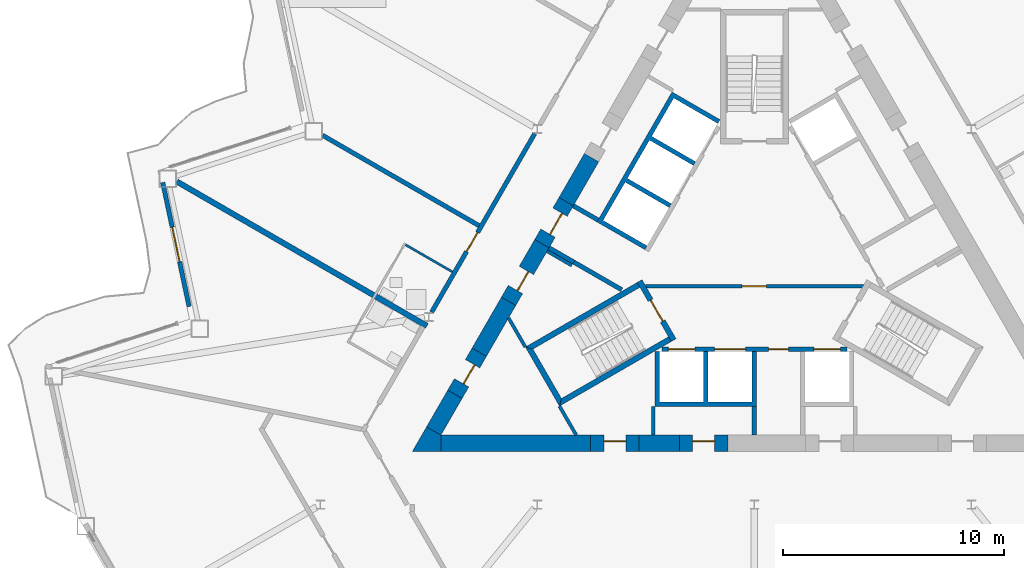
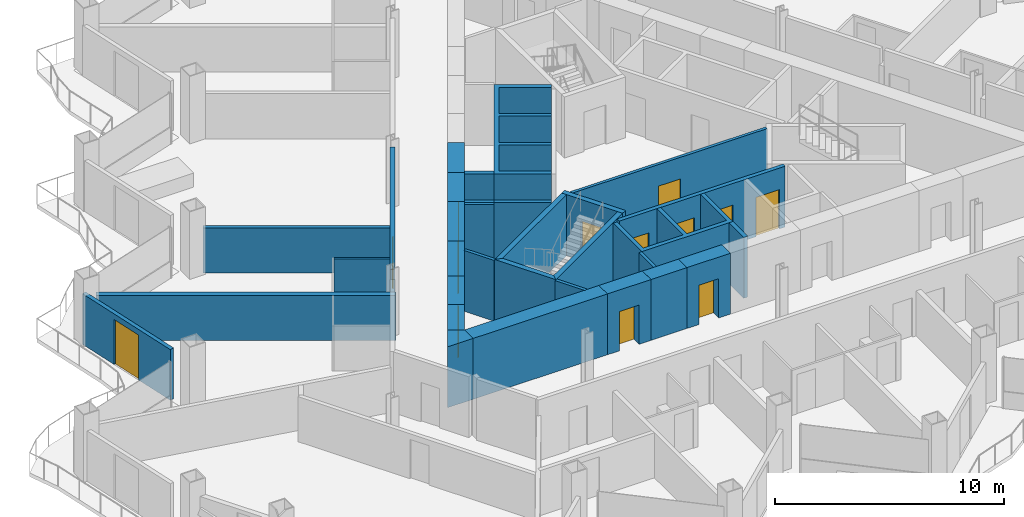
# One storey, part 11 of 23: 32 walls, 13 doors, 13 openings.
"""IFC4 building model written with IfcOpenShell, lengths in metres."""

from ifc_helpers import new_model, si_unit, direction, frame, frame_2d, origin, place, context, subcontext, project, spatial, polyline, rectangle, outline, extrude, material, layer, layer_set, type_object, element, fill, save


model = new_model("IFC4")

# Units and contexts
model_context = context("Model", 3, precision=1e-05, world=origin(), true_north=direction((0.0, 1.0)))
body_context = subcontext(model_context, "Body", "Model", "MODEL_VIEW")
ifc_project = project(units=[si_unit("LENGTHUNIT", "METRE"), si_unit("AREAUNIT", "SQUARE_METRE"), si_unit("VOLUMEUNIT", "CUBIC_METRE"), si_unit("PLANEANGLEUNIT", "RADIAN"), si_unit("MASSUNIT", "GRAM", prefix="KILO")], contexts=[model_context])

# Site, building, storey
site_placement = place(None, origin())
site = spatial("IfcSite", under=ifc_project, at=site_placement, CompositionType="ELEMENT")
building_placement = place(site_placement, origin())
building = spatial("IfcBuilding", under=site, at=building_placement, Name="Cormorant Prow Tower", CompositionType="ELEMENT")
storey_placement = place(building_placement, frame((0.0, 0.0, 172.800048828125)))
storey = spatial("IfcBuildingStorey", under=building, at=storey_placement, Name="L36", CompositionType="ELEMENT", Elevation=172.800048828125)

# Wall, opening, door
ifc_material_1 = material(Name="Gypsum board partition")
ifc_layer_1 = layer(ifc_material_1, 0.14990234375)
ifc_layer_set_1 = layer_set([ifc_layer_1], Name="Gypsum board partition")
wall_type_1 = type_object("IfcWallType", Name="Core partition 150", PredefinedType="PARTITIONING", material=ifc_layer_set_1)
wall_1_placement = place(storey_placement, frame((-4.941162109375, -1.449951171875, 0.0), z_axis=(0.0, 0.0, 1.0), x_axis=(1.0, 0.0, 0.0)))
wall_1 = element("IfcWall", 1, at=wall_1_placement, inside=storey, type_object=wall_type_1, Name="Firefighting lobby partition", PredefinedType="PARTITIONING", context=body_context, shape_type="SweptSolid", body=[
    extrude(rectangle(XDim=9.88232421875, YDim=0.14990234375, at=frame_2d((4.941162109375, 0.0))), origin(), (0.0, 0.0, 1.0), 3.25),
])
opening_1_placement = place(wall_1_placement, frame((4.39111328125, 0.0, 0.0)))
opening_1 = element("IfcOpeningElement", 2, at=opening_1_placement, cuts=wall_1, Name="Opening L36-C10", PredefinedType="OPENING", context=body_context, shape_type="SweptSolid", body=[
    extrude(rectangle(XDim=1.10009765625, YDim=2.10009765625, at=frame_2d((0.550048828125, 1.050048828125))), frame((0.0, 0.0849609375, 0.0), z_axis=(0.0, -1.0, 0.0), x_axis=(1.0, 0.0, 0.0)), (0.0, 0.0, 1.0), 0.169921875),
])
ifc_material_2 = material(Name="Painted steel", Category="steel")
door_type_1 = type_object("IfcDoorType", Name="Firefighting lobby door 1100x2100", OperationType="NOTDEFINED", PredefinedType="DOOR", material=ifc_material_2)
door_1_placement = place(opening_1_placement, origin())
door_1 = element("IfcDoor", 3, at=door_1_placement, inside=storey, type_object=door_type_1, Name="Firefighting lobby door", OperationType="SINGLE_SWING_LEFT", OverallHeight=2.10009765625, OverallWidth=1.10009765625, PredefinedType="DOOR", context=body_context, shape_type="SweptSolid", body=[
    extrude(rectangle(XDim=1.10009765625, YDim=2.10009765625, at=frame_2d((0.550048828125, 1.050048828125))), frame((0.0, 0.02490234375, 0.0), z_axis=(0.0, -1.0, 0.0), x_axis=(1.0, 0.0, 0.0)), (0.0, 0.0, 1.0), 0.050048828125),
])
fill(opening_1, door_1)

# Walls
for number, where, z_axis, x_axis, name in (
    (4, (-4.574951171875, -6.906005859375, 0.0), (0.0, 0.0, 1.0), (0.0, -1.0, 0.0), "Service room partition"),
    (5, (-8.268310546875, -0.509033203125, 0.0), (0.0, 0.0, 1.0), (-0.866003189247, 0.500038474733, 0.0), "Service room partition"),
):
    element("IfcWall", number, at=place(storey_placement, frame(where, z_axis=z_axis, x_axis=x_axis)), inside=storey, type_object=wall_type_1, Name=name, PredefinedType="PARTITIONING", context=body_context, shape_type="SweptSolid", body=[
        extrude(rectangle(XDim=1.29296875, YDim=0.14990234375, at=frame_2d((0.646484375, 0.0))), origin(), (0.0, 0.0, 1.0), 3.25),
    ])
for number, where, z_axis, x_axis, name in (
    (6, (-8.82958984375, -6.880615234375, 0.0), (0.0, 0.0, 1.0), (0.500037110984, -0.866003976688, 0.0), "Service room partition"),
    (7, (-10.37353515625, -4.206298828125, 0.0), (0.0, 0.0, 1.0), (-0.500037110984, 0.866003976688, 0.0), "Service room partition"),
):
    element("IfcWall", number, at=place(storey_placement, frame(where, z_axis=z_axis, x_axis=x_axis)), inside=storey, type_object=wall_type_1, Name=name, PredefinedType="PARTITIONING", context=body_context, shape_type="SweptSolid", body=[
        extrude(rectangle(XDim=1.5224609375, YDim=0.14990234375, at=frame_2d((0.76123046875, 0.0))), origin(), (0.0, 0.0, 1.0), 3.25),
    ])
ifc_material_3 = material(Name="Concrete 8000 psi", Category="concrete")
ifc_layer_2 = layer(ifc_material_3, 0.75)
ifc_layer_set_2 = layer_set([ifc_layer_2], Name="Concrete 8000 psi")
wall_type_2 = type_object("IfcWallType", Name="Core shear wall 750", PredefinedType="SHEAR", material=ifc_layer_set_2)
wall_2_placement = place(storey_placement, frame((-14.200927734375, -8.573974609375, 0.0), z_axis=(0.0, 0.0, 1.0), x_axis=(1.0, 0.0, 0.0)))
element("IfcWall", 8, at=wall_2_placement, inside=storey, type_object=wall_type_2, Name="Core wall", PredefinedType="SHEAR", context=body_context, shape_type="SweptSolid", body=[
    extrude(rectangle(XDim=6.784912109375, YDim=0.75, at=frame_2d((3.392578125, 0.0))), origin(), (0.0, 0.0, 1.0), 3.25),
])
wall_3_placement = place(storey_placement, frame((-5.2158203125, -8.573974609375, 0.0), z_axis=(0.0, 0.0, 1.0), x_axis=(1.0, 0.0, 0.0)))
element("IfcWall", 9, at=wall_3_placement, inside=storey, type_object=wall_type_2, Name="Core wall", PredefinedType="SHEAR", context=body_context, shape_type="SweptSolid", body=[
    extrude(rectangle(XDim=1.81591796875, YDim=0.75, at=frame_2d((0.907958984375, 0.0))), origin(), (0.0, 0.0, 1.0), 3.25),
])
wall_4_placement = place(storey_placement, frame((-11.13330078125, -2.135498046875, 0.0), z_axis=(0.0, 0.0, 1.0), x_axis=(-0.499936812382, -0.866061882099, 0.0)))
element("IfcWall", 10, at=wall_4_placement, inside=storey, type_object=wall_type_2, Name="Core wall", PredefinedType="SHEAR", context=body_context, shape_type="SweptSolid", body=[
    extrude(rectangle(XDim=2.661865234375, YDim=0.75, at=frame_2d((1.3310546875, 0.0))), origin(), (0.0, 0.0, 1.0), 3.25),
])
wall_5_placement = place(storey_placement, frame((-7.375244140625, 4.37353515625, 0.0), z_axis=(0.0, 0.0, 1.0), x_axis=(-0.499952165731, -0.866053019151, 0.0)))
element("IfcWall", 11, at=wall_5_placement, inside=storey, type_object=wall_type_2, Name="Core wall", PredefinedType="SHEAR", context=body_context, shape_type="SweptSolid", body=[
    extrude(rectangle(XDim=2.300048828125, YDim=0.75, at=frame_2d((1.14990234375, 0.0))), origin(), (0.0, 0.0, 1.0), 3.25),
])
wall_6_placement = place(storey_placement, frame((-13.564208984375, -6.34619140625, 0.0), z_axis=(0.0, 0.0, 1.0), x_axis=(-0.499989888488, -0.86603124159, 0.0)))
element("IfcWall", 12, at=wall_6_placement, inside=storey, type_object=wall_type_2, Name="Core wall", PredefinedType="SHEAR", context=body_context, shape_type="SweptSolid", body=[
    extrude(rectangle(XDim=1.9228515625, YDim=0.75, at=frame_2d((0.96142578125, 0.0))), origin(), (0.0, 0.0, 1.0), 3.25),
])
wall_7_placement = place(storey_placement, origin())
element("IfcWall", 13, at=wall_7_placement, inside=storey, type_object=wall_type_2, Name="Core wall corner", PredefinedType="SHEAR", context=body_context, shape_type="SweptSolid", body=[
    extrude(outline(polyline([(-14.8505859375, -7.823974609375), (-14.200927734375, -8.198974609375), (-14.200927734375, -8.948974609375), (-15.5, -8.948974609375), (-14.8505859375, -7.823974609375)])), origin(), (0.0, 0.0, 1.0), 3.25),
])

# Wall, opening, door
wall_8_placement = place(storey_placement, frame((-3.39990234375, -8.573974609375, 0.0), z_axis=(0.0, 0.0, 1.0), x_axis=(1.0, 0.0, 0.0)))
wall_8 = element("IfcWall", 14, at=wall_8_placement, inside=storey, type_object=wall_type_2, Name="Core wall door panel", PredefinedType="SHEAR", context=body_context, shape_type="SweptSolid", body=[
    extrude(rectangle(XDim=2.199951171875, YDim=0.75, at=frame_2d((1.10009765625, 0.0))), origin(), (0.0, 0.0, 1.0), 3.25),
])
opening_2_placement = place(wall_8_placement, frame((0.60009765625, 0.0, 0.0)))
opening_2 = element("IfcOpeningElement", 15, at=opening_2_placement, cuts=wall_8, Name="Opening L36-C14", PredefinedType="OPENING", context=body_context, shape_type="SweptSolid", body=[
    extrude(rectangle(XDim=1.0, YDim=2.10009765625, at=frame_2d((0.5, 1.050048828125))), frame((0.0, 0.385009765625, 0.0), z_axis=(0.0, -1.0, 0.0), x_axis=(1.0, 0.0, 0.0)), (0.0, 0.0, 1.0), 0.77001953125),
])
ifc_material_4 = material(Name="Painted steel", Category="steel")
door_type_2 = type_object("IfcDoorType", Name="Service door 1000x2100", OperationType="NOTDEFINED", PredefinedType="DOOR", material=ifc_material_4)
door_2_placement = place(opening_2_placement, origin())
door_2 = element("IfcDoor", 16, at=door_2_placement, inside=storey, type_object=door_type_2, Name="Core door, Electrical room", OperationType="SINGLE_SWING_RIGHT", OverallHeight=2.10009765625, OverallWidth=1.0, PredefinedType="DOOR", context=body_context, shape_type="SweptSolid", body=[
    extrude(rectangle(XDim=1.0, YDim=2.10009765625, at=frame_2d((0.5, 1.050048828125))), frame((0.0, 0.1298828125, 0.0), z_axis=(0.0, -1.0, 0.0), x_axis=(1.0, 0.0, 0.0)), (0.0, 0.0, 1.0), 0.050048828125),
])
fill(opening_2, door_2)

wall_9_placement = place(storey_placement, frame((-12.46435546875, -4.44091796875, 0.0), z_axis=(0.0, 0.0, 1.0), x_axis=(-0.499994660107, -0.866028486751, 0.0)))
wall_9 = element("IfcWall", 17, at=wall_9_placement, inside=storey, type_object=wall_type_2, Name="Core wall door panel", PredefinedType="SHEAR", context=body_context, shape_type="SweptSolid", body=[
    extrude(rectangle(XDim=2.19970703125, YDim=0.75, at=frame_2d((1.099853515625, 0.0))), origin(), (0.0, 0.0, 1.0), 3.25),
])
opening_3_placement = place(wall_9_placement, frame((0.60009765625, 0.0, 0.0)))
opening_3 = element("IfcOpeningElement", 18, at=opening_3_placement, cuts=wall_9, Name="Opening L36-C16", PredefinedType="OPENING", context=body_context, shape_type="SweptSolid", body=[
    extrude(rectangle(XDim=1.0, YDim=2.10009765625, at=frame_2d((0.5, 1.050048828125))), frame((0.0, 0.385009765625, 0.0), z_axis=(0.0, -1.0, 0.0), x_axis=(1.0, 0.0, 0.0)), (0.0, 0.0, 1.0), 0.77001953125),
])
door_3_placement = place(opening_3_placement, origin())
door_3 = element("IfcDoor", 19, at=door_3_placement, inside=storey, type_object=door_type_2, Name="Core door, Mechanical riser room", OperationType="SINGLE_SWING_RIGHT", OverallHeight=2.10009765625, OverallWidth=1.0, PredefinedType="DOOR", context=body_context, shape_type="SweptSolid", body=[
    extrude(rectangle(XDim=1.0, YDim=2.10009765625, at=frame_2d((0.5, 1.050048828125))), frame((0.0, 0.1298828125, 0.0), z_axis=(0.0, -1.0, 0.0), x_axis=(1.0, 0.0, 0.0)), (0.0, 0.0, 1.0), 0.050048828125),
])
fill(opening_3, door_3)

wall_10_placement = place(storey_placement, frame((-9.625244140625, 0.4765625, 0.0), z_axis=(0.0, 0.0, 1.0), x_axis=(-0.499995718215, -0.86602787586, 0.0)))
wall_10 = element("IfcWall", 20, at=wall_10_placement, inside=storey, type_object=wall_type_2, Name="Core wall door panel", PredefinedType="SHEAR", context=body_context, shape_type="SweptSolid", body=[
    extrude(rectangle(XDim=3.01611328125, YDim=0.75, at=frame_2d((1.508056640625, 0.0))), origin(), (0.0, 0.0, 1.0), 3.25),
])
opening_4_placement = place(wall_10_placement, frame((1.39990234375, 0.0, 0.0)))
opening_4 = element("IfcOpeningElement", 21, at=opening_4_placement, cuts=wall_10, Name="Opening L36-C21", PredefinedType="OPENING", context=body_context, shape_type="SweptSolid", body=[
    extrude(rectangle(XDim=1.0, YDim=2.10009765625, at=frame_2d((0.5, 1.050048828125))), frame((0.0, 0.385009765625, 0.0), z_axis=(0.0, -1.0, 0.0), x_axis=(1.0, 0.0, 0.0)), (0.0, 0.0, 1.0), 0.77001953125),
])
door_4_placement = place(opening_4_placement, origin())
door_4 = element("IfcDoor", 22, at=door_4_placement, inside=storey, type_object=door_type_2, Name="Core door, Mechanical riser room", OperationType="SINGLE_SWING_LEFT", OverallHeight=2.10009765625, OverallWidth=1.0, PredefinedType="DOOR", context=body_context, shape_type="SweptSolid", body=[
    extrude(rectangle(XDim=1.0, YDim=2.10009765625, at=frame_2d((0.5, 1.050048828125))), frame((0.0, 0.1298828125, 0.0), z_axis=(0.0, -1.0, 0.0), x_axis=(1.0, 0.0, 0.0)), (0.0, 0.0, 1.0), 0.050048828125),
])
fill(opening_4, door_4)

wall_11_placement = place(storey_placement, frame((-7.416015625, -8.573974609375, 0.0), z_axis=(0.0, 0.0, 1.0), x_axis=(1.0, 0.0, 0.0)))
wall_11 = element("IfcWall", 23, at=wall_11_placement, inside=storey, type_object=wall_type_2, Name="Core wall door panel", PredefinedType="SHEAR", context=body_context, shape_type="SweptSolid", body=[
    extrude(rectangle(XDim=2.2001953125, YDim=0.75, at=frame_2d((1.10009765625, 0.0))), origin(), (0.0, 0.0, 1.0), 3.25),
])
opening_5_placement = place(wall_11_placement, frame((0.60009765625, 0.0, 0.0)))
opening_5 = element("IfcOpeningElement", 24, at=opening_5_placement, cuts=wall_11, Name="Opening L36-C22", PredefinedType="OPENING", context=body_context, shape_type="SweptSolid", body=[
    extrude(rectangle(XDim=1.0, YDim=2.10009765625, at=frame_2d((0.5, 1.050048828125))), frame((0.0, 0.385009765625, 0.0), z_axis=(0.0, -1.0, 0.0), x_axis=(1.0, 0.0, 0.0)), (0.0, 0.0, 1.0), 0.77001953125),
])
door_5_placement = place(opening_5_placement, origin())
door_5 = element("IfcDoor", 25, at=door_5_placement, inside=storey, type_object=door_type_2, Name="Core door, Mechanical riser room", OperationType="SINGLE_SWING_RIGHT", OverallHeight=2.10009765625, OverallWidth=1.0, PredefinedType="DOOR", context=body_context, shape_type="SweptSolid", body=[
    extrude(rectangle(XDim=1.0, YDim=2.10009765625, at=frame_2d((0.5, 1.050048828125))), frame((0.0, 0.1298828125, 0.0), z_axis=(0.0, -1.0, 0.0), x_axis=(1.0, 0.0, 0.0)), (0.0, 0.0, 1.0), 0.050048828125),
])
fill(opening_5, door_5)

wall_12_placement = place(storey_placement, frame((-8.525146484375, 2.381591796875, 0.0), z_axis=(0.0, 0.0, 1.0), x_axis=(-0.500077893725, -0.86598042715, 0.0)))
wall_12 = element("IfcWall", 26, at=wall_12_placement, inside=storey, type_object=wall_type_2, Name="Core wall door panel", PredefinedType="SHEAR", context=body_context, shape_type="SweptSolid", body=[
    extrude(rectangle(XDim=2.199951171875, YDim=0.75, at=frame_2d((1.10009765625, 0.0))), origin(), (0.0, 0.0, 1.0), 3.25),
])
opening_6_placement = place(wall_12_placement, frame((0.550048828125, 0.0, 0.0)))
opening_6 = element("IfcOpeningElement", 27, at=opening_6_placement, cuts=wall_12, Name="Opening L36-C25", PredefinedType="OPENING", context=body_context, shape_type="SweptSolid", body=[
    extrude(rectangle(XDim=1.10009765625, YDim=2.10009765625, at=frame_2d((0.550048828125, 1.050048828125))), frame((0.0, 0.385009765625, 0.0), z_axis=(0.0, -1.0, 0.0), x_axis=(1.0, 0.0, 0.0)), (0.0, 0.0, 1.0), 0.77001953125),
])
ifc_material_5 = material(Name="Painted steel", Category="steel")
door_type_3 = type_object("IfcDoorType", Name="Core door 1100x2100", OperationType="NOTDEFINED", PredefinedType="DOOR", material=ifc_material_5)
door_6_placement = place(opening_6_placement, origin())
door_6 = element("IfcDoor", 28, at=door_6_placement, inside=storey, type_object=door_type_3, Name="Core door, lift lobby", OperationType="SINGLE_SWING_LEFT", OverallHeight=2.10009765625, OverallWidth=1.10009765625, PredefinedType="DOOR", context=body_context, shape_type="SweptSolid", body=[
    extrude(rectangle(XDim=1.10009765625, YDim=2.10009765625, at=frame_2d((0.550048828125, 1.050048828125))), frame((0.0, 0.1298828125, 0.0), z_axis=(0.0, -1.0, 0.0), x_axis=(1.0, 0.0, 0.0)), (0.0, 0.0, 1.0), 0.050048828125),
])
fill(opening_6, door_6)

ifc_material_6 = material(Name="Gypsum board corridor wall")
ifc_layer_3 = layer(ifc_material_6, 0.199951171875)
ifc_layer_set_3 = layer_set([ifc_layer_3], Name="Gypsum board corridor wall")
wall_type_3 = type_object("IfcWallType", Name="Corridor wall 200", PredefinedType="PARTITIONING", material=ifc_layer_set_3)
wall_13_placement = place(storey_placement, frame((-14.619384765625, -2.62353515625, 0.0), z_axis=(0.0, 0.0, 1.0), x_axis=(0.50000393355, 0.866023132736, 0.0)))
wall_13 = element("IfcWall", 29, at=wall_13_placement, inside=storey, type_object=wall_type_3, Name="Corridor wall", PredefinedType="PARTITIONING", context=body_context, shape_type="SweptSolid", body=[
    extrude(rectangle(XDim=9.3349609375, YDim=0.199951171875, at=frame_2d((4.66748046875, 0.0))), origin(), (0.0, 0.0, 1.0), 3.25),
])
opening_7_placement = place(wall_13_placement, frame((3.1630859375, 0.0, 0.0)))
opening_7 = element("IfcOpeningElement", 30, at=opening_7_placement, cuts=wall_13, Name="Opening L36-F29", PredefinedType="OPENING", context=body_context, shape_type="SweptSolid", body=[
    extrude(rectangle(XDim=1.0, YDim=2.10009765625, at=frame_2d((0.5, 1.050048828125))), frame((0.0, 0.10986328125, 0.0), z_axis=(0.0, -1.0, 0.0), x_axis=(1.0, 0.0, 0.0)), (0.0, 0.0, 1.0), 0.219970703125),
])
ifc_material_7 = material(Name="Timber door leaf", Category="wood")
door_type_4 = type_object("IfcDoorType", Name="Flat or room entrance door 1000x2100", OperationType="NOTDEFINED", PredefinedType="DOOR", material=ifc_material_7)
door_7_placement = place(opening_7_placement, origin())
door_7 = element("IfcDoor", 31, at=door_7_placement, inside=storey, type_object=door_type_4, Name="Guest room door", OperationType="SINGLE_SWING_RIGHT", OverallHeight=2.10009765625, OverallWidth=1.0, PredefinedType="DOOR", context=body_context, shape_type="SweptSolid", body=[
    extrude(rectangle(XDim=1.0, YDim=2.10009765625, at=frame_2d((0.5, 1.050048828125))), frame((0.0, 0.02490234375, 0.0), z_axis=(0.0, -1.0, 0.0), x_axis=(1.0, 0.0, 0.0)), (0.0, 0.0, 1.0), 0.050048828125),
])
fill(opening_7, door_7)

# Walls
ifc_material_8 = material(Name="Gypsum board demising wall")
ifc_layer_4 = layer(ifc_material_8, 0.199951171875)
ifc_layer_set_4 = layer_set([ifc_layer_4], Name="Gypsum board demising wall")
wall_type_4 = type_object("IfcWallType", Name="Demising wall 200", PredefinedType="PARTITIONING", material=ifc_layer_set_4)
wall_14_placement = place(storey_placement, frame((-19.5546875, 5.3828125, 0.0), z_axis=(0.0, 0.0, 1.0), x_axis=(0.866027979776, -0.499995538225, 0.0)))
element("IfcWall", 32, at=wall_14_placement, inside=storey, type_object=wall_type_4, Name="Demising wall", PredefinedType="PARTITIONING", context=body_context, shape_type="SweptSolid", body=[
    extrude(rectangle(XDim=8.17724609375, YDim=0.199951171875, at=frame_2d((4.088623046875, 0.0))), origin(), (0.0, 0.0, 1.0), 2.404052734375),
])
ifc_material_9 = material(Name="Gypsum board partition")
ifc_layer_5 = layer(ifc_material_9, 0.10009765625)
ifc_layer_set_5 = layer_set([ifc_layer_5], Name="Gypsum board partition")
wall_type_5 = type_object("IfcWallType", Name="Internal partition 100", PredefinedType="PARTITIONING", material=ifc_layer_set_5)
wall_15_placement = place(storey_placement, frame((-15.802490234375, 0.427001953125, 0.0), z_axis=(0.0, 0.0, 1.0), x_axis=(0.866032905446, -0.499987006516, 0.0)))
element("IfcWall", 33, at=wall_15_placement, inside=storey, type_object=wall_type_5, Name="Internal partition", PredefinedType="PARTITIONING", context=body_context, shape_type="SweptSolid", body=[
    extrude(rectangle(XDim=2.44970703125, YDim=0.10009765625, at=frame_2d((1.224853515625, 0.0))), origin(), (0.0, 0.0, 1.0), 2.404052734375),
])

# Wall, openings, doors
ifc_material_10 = material(Name="Concrete 5000 psi", Category="concrete")
ifc_layer_6 = layer(ifc_material_10, 0.199951171875)
ifc_layer_set_6 = layer_set([ifc_layer_6], Name="Concrete 5000 psi")
wall_type_6 = type_object("IfcWallType", Name="Lift lobby wall 200", PredefinedType="SOLIDWALL", material=ifc_layer_set_6)
wall_16_placement = place(storey_placement, frame((-4.1865234375, -4.300048828125, 0.0), z_axis=(0.0, 0.0, 1.0), x_axis=(1.0, 0.0, 0.0)))
wall_16 = element("IfcWall", 34, at=wall_16_placement, inside=storey, type_object=wall_type_6, Name="Lift lobby wall, S block", PredefinedType="SOLIDWALL", context=body_context, shape_type="SweptSolid", body=[
    extrude(rectangle(XDim=8.373046875, YDim=0.199951171875, at=frame_2d((4.1865234375, 0.0))), origin(), (0.0, 0.0, 1.0), 3.25),
])
opening_8_placement = place(wall_16_placement, frame((0.28662109375, 0.0, 0.0)))
opening_8 = element("IfcOpeningElement", 35, at=opening_8_placement, cuts=wall_16, Name="Opening L36-C01", PredefinedType="OPENING", context=body_context, shape_type="SweptSolid", body=[
    extrude(rectangle(XDim=1.199951171875, YDim=2.10009765625, at=frame_2d((0.60009765625, 1.050048828125))), frame((0.0, 0.10986328125, 0.0), z_axis=(0.0, -1.0, 0.0), x_axis=(1.0, 0.0, 0.0)), (0.0, 0.0, 1.0), 0.219970703125),
])
opening_9_placement = place(wall_16_placement, frame((2.38671875, 0.0, 0.0)))
opening_9 = element("IfcOpeningElement", 36, at=opening_9_placement, cuts=wall_16, Name="Opening L36-C02", PredefinedType="OPENING", context=body_context, shape_type="SweptSolid", body=[
    extrude(rectangle(XDim=1.39990234375, YDim=2.10009765625, at=frame_2d((0.699951171875, 1.050048828125))), frame((0.0, 0.10986328125, 0.0), z_axis=(0.0, -1.0, 0.0), x_axis=(1.0, 0.0, 0.0)), (0.0, 0.0, 1.0), 0.219970703125),
])
opening_10_placement = place(wall_16_placement, frame((4.836669921875, 0.0, 0.0)))
opening_10 = element("IfcOpeningElement", 37, at=opening_10_placement, cuts=wall_16, Name="Opening L36-C03", PredefinedType="OPENING", context=body_context, shape_type="SweptSolid", body=[
    extrude(rectangle(XDim=0.89990234375, YDim=2.10009765625, at=frame_2d((0.449951171875, 1.050048828125))), frame((0.0, 0.10986328125, 0.0), z_axis=(0.0, -1.0, 0.0), x_axis=(1.0, 0.0, 0.0)), (0.0, 0.0, 1.0), 0.219970703125),
])
opening_11_placement = place(wall_16_placement, frame((6.88671875, 0.0, 0.0)))
opening_11 = element("IfcOpeningElement", 38, at=opening_11_placement, cuts=wall_16, Name="Opening L36-C04", PredefinedType="OPENING", context=body_context, shape_type="SweptSolid", body=[
    extrude(rectangle(XDim=1.199951171875, YDim=2.10009765625, at=frame_2d((0.60009765625, 1.050048828125))), frame((0.0, 0.10986328125, 0.0), z_axis=(0.0, -1.0, 0.0), x_axis=(1.0, 0.0, 0.0)), (0.0, 0.0, 1.0), 0.219970703125),
])
ifc_material_11 = material(Name="Painted steel", Category="steel")
door_type_5 = type_object("IfcDoorType", Name="Firefighting lift landing door 1200x2100", OperationType="SLIDING_TO_LEFT", PredefinedType="DOOR", material=ifc_material_11)
door_8_placement = place(opening_8_placement, origin())
door_8 = element("IfcDoor", 39, at=door_8_placement, inside=storey, type_object=door_type_5, Name="Landing door FL1", OperationType="SLIDING_TO_LEFT", OverallHeight=2.10009765625, OverallWidth=1.199951171875, PredefinedType="DOOR", context=body_context, shape_type="SweptSolid", body=[
    extrude(rectangle(XDim=1.199951171875, YDim=2.10009765625, at=frame_2d((0.60009765625, 1.050048828125))), frame((0.0, 0.02490234375, 0.0), z_axis=(0.0, -1.0, 0.0), x_axis=(1.0, 0.0, 0.0)), (0.0, 0.0, 1.0), 0.050048828125),
])
fill(opening_8, door_8)
door_9_placement = place(opening_11_placement, origin())
door_9 = element("IfcDoor", 40, at=door_9_placement, inside=storey, type_object=door_type_5, Name="Landing door FL2", OperationType="SLIDING_TO_LEFT", OverallHeight=2.10009765625, OverallWidth=1.199951171875, PredefinedType="DOOR", context=body_context, shape_type="SweptSolid", body=[
    extrude(rectangle(XDim=1.199951171875, YDim=2.10009765625, at=frame_2d((0.60009765625, 1.050048828125))), frame((0.0, 0.02490234375, 0.0), z_axis=(0.0, -1.0, 0.0), x_axis=(1.0, 0.0, 0.0)), (0.0, 0.0, 1.0), 0.050048828125),
])
fill(opening_11, door_9)
ifc_material_12 = material(Name="Painted steel", Category="steel")
door_type_6 = type_object("IfcDoorType", Name="Service door 900x2100", OperationType="NOTDEFINED", PredefinedType="DOOR", material=ifc_material_12)
door_10_placement = place(opening_10_placement, origin())
door_10 = element("IfcDoor", 41, at=door_10_placement, inside=storey, type_object=door_type_6, Name="Service door, Electrical room", OperationType="SINGLE_SWING_RIGHT", OverallHeight=2.10009765625, OverallWidth=0.89990234375, PredefinedType="DOOR", context=body_context, shape_type="SweptSolid", body=[
    extrude(rectangle(XDim=0.89990234375, YDim=2.10009765625, at=frame_2d((0.449951171875, 1.050048828125))), frame((0.0, 0.02490234375, 0.0), z_axis=(0.0, -1.0, 0.0), x_axis=(1.0, 0.0, 0.0)), (0.0, 0.0, 1.0), 0.050048828125),
])
fill(opening_10, door_10)
ifc_material_13 = material(Name="Painted steel", Category="steel")
door_type_7 = type_object("IfcDoorType", Name="Service lift landing door 1400x2100", OperationType="SLIDING_TO_LEFT", PredefinedType="DOOR", material=ifc_material_13)
door_11_placement = place(opening_9_placement, origin())
door_11 = element("IfcDoor", 42, at=door_11_placement, inside=storey, type_object=door_type_7, Name="Landing door SL1", OperationType="SLIDING_TO_LEFT", OverallHeight=2.10009765625, OverallWidth=1.39990234375, PredefinedType="DOOR", context=body_context, shape_type="SweptSolid", body=[
    extrude(rectangle(XDim=1.39990234375, YDim=2.10009765625, at=frame_2d((0.699951171875, 1.050048828125))), frame((0.0, 0.02490234375, 0.0), z_axis=(0.0, -1.0, 0.0), x_axis=(1.0, 0.0, 0.0)), (0.0, 0.0, 1.0), 0.050048828125),
])
fill(opening_9, door_11)

# Walls
ifc_material_14 = material(Name="Concrete 8000 psi", Category="concrete")
ifc_layer_7 = layer(ifc_material_14, 0.199951171875)
ifc_layer_set_7 = layer_set([ifc_layer_7], Name="Concrete 8000 psi")
wall_type_7 = type_object("IfcWallType", Name="Lift shaft wall 200", PredefinedType="SHEAR", material=ifc_layer_set_7)
wall_17_placement = place(storey_placement, origin())
element("IfcWall", 43, at=wall_17_placement, inside=storey, type_object=wall_type_7, Name="Lift shaft walls, S block", PredefinedType="SHEAR", context=body_context, shape_type="SweptSolid", body=[
    extrude(outline(polyline([(0.10009765625, -4.39990234375), (0.10009765625, -6.906005859375), (-4.5, -6.906005859375), (-4.5, -4.39990234375), (-4.300048828125, -4.39990234375), (-4.300048828125, -6.699951171875), (-2.300048828125, -6.699951171875), (-2.300048828125, -4.39990234375), (-2.10009765625, -4.39990234375), (-2.10009765625, -6.699951171875), (-0.10009765625, -6.699951171875), (-0.10009765625, -4.39990234375), (0.10009765625, -4.39990234375)])), origin(), (0.0, 0.0, 1.0), 3.25),
])
wall_18_placement = place(storey_placement, frame((0.0, -6.906005859375, 0.0), z_axis=(0.0, 0.0, 1.0), x_axis=(0.0, -1.0, 0.0)))
element("IfcWall", 44, at=wall_18_placement, inside=storey, type_object=wall_type_7, Name="Store side wall", PredefinedType="SHEAR", context=body_context, shape_type="SweptSolid", body=[
    extrude(rectangle(XDim=1.29296875, YDim=0.199951171875, at=frame_2d((0.646484375, 0.0))), origin(), (0.0, 0.0, 1.0), 3.25),
])
wall_19_placement = place(storey_placement, origin())
element("IfcWall", 45, at=wall_19_placement, inside=storey, type_object=wall_type_7, Name="Lift shaft walls, WNW block", PredefinedType="SHEAR", context=body_context, shape_type="SweptSolid", body=[
    extrude(outline(polyline([(-6.060546875, -1.697021484375), (-8.230712890625, -0.444091796875), (-8.130859375, -0.27099609375), (-5.96044921875, -1.52392578125), (-6.060546875, -1.697021484375)])), origin(), (0.0, 0.0, 1.0), 3.25),
])
wall_20_placement = place(storey_placement, origin())
element("IfcWall", 46, at=wall_20_placement, inside=storey, type_object=wall_type_7, Name="Lift shaft walls, WNW block", PredefinedType="SHEAR", context=body_context, shape_type="SweptSolid", body=[
    extrude(outline(polyline([(-4.96044921875, 0.2080078125), (-7.130859375, 1.461181640625), (-3.730712890625, 7.35009765625), (-1.560546875, 6.09716796875), (-1.660400390625, 5.923828125), (-3.65234375, 7.073974609375), (-4.65234375, 5.341796875), (-2.660400390625, 4.19189453125), (-2.760498046875, 4.018798828125), (-4.75244140625, 5.168701171875), (-5.75244140625, 3.4365234375), (-3.760498046875, 2.28662109375), (-3.860595703125, 2.11328125), (-5.852294921875, 3.263427734375), (-6.852294921875, 1.53125), (-4.860595703125, 0.38134765625), (-4.96044921875, 0.2080078125)])), origin(), (0.0, 0.0, 1.0), 3.25),
])
for number, where, z_axis, x_axis, name in (
    (47, (-7.080810546875, 1.547607421875, 0.0), (0.0, 0.0, 1.0), (-0.866003189247, 0.500038474733, 0.0), "Lobby passage wall"),
    (48, (-8.180908203125, -0.357421875, 0.0), (0.0, 0.0, 1.0), (-0.866003189247, 0.500038474733, 0.0), "Lobby passage wall"),
):
    element("IfcWall", number, at=place(storey_placement, frame(where, z_axis=z_axis, x_axis=x_axis)), inside=storey, type_object=wall_type_7, Name=name, PredefinedType="SHEAR", context=body_context, shape_type="SweptSolid", body=[
        extrude(rectangle(XDim=1.29296875, YDim=0.199951171875, at=frame_2d((0.646484375, 0.0))), origin(), (0.0, 0.0, 1.0), 3.25),
    ])
ifc_material_15 = material(Name="Concrete 8000 psi", Category="concrete")
ifc_layer_8 = layer(ifc_material_15, 0.25)
ifc_layer_set_8 = layer_set([ifc_layer_8], Name="Concrete 8000 psi")
wall_type_8 = type_object("IfcWallType", Name="Stair wall 250", PredefinedType="SHEAR", material=ifc_layer_set_8)
wall_21_placement = place(storey_placement, origin())
element("IfcWall", 49, at=wall_21_placement, inside=storey, type_object=wall_type_8, Name="Stair ST1 enclosure wall (flank)", PredefinedType="SHEAR", context=body_context, shape_type="SweptSolid", body=[
    extrude(outline(polyline([(-5.30712890625, -1.28125), (-10.37353515625, -4.206298828125), (-10.031982421875, -4.2978515625), (-5.18212890625, -1.497802734375), (-5.30712890625, -1.28125)])), origin(), (0.0, 0.0, 1.0), 3.25),
])
wall_22_placement = place(storey_placement, origin())
element("IfcWall", 50, at=wall_22_placement, inside=storey, type_object=wall_type_8, Name="Stair ST1 enclosure wall (end)", PredefinedType="SHEAR", context=body_context, shape_type="SweptSolid", body=[
    extrude(outline(polyline([(-10.37353515625, -4.206298828125), (-8.82958984375, -6.880615234375), (-8.738037109375, -6.5390625), (-10.031982421875, -4.2978515625), (-10.37353515625, -4.206298828125)])), origin(), (0.0, 0.0, 1.0), 3.25),
])
wall_23_placement = place(storey_placement, origin())
element("IfcWall", 51, at=wall_23_placement, inside=storey, type_object=wall_type_8, Name="Stair ST1 enclosure wall (flank)", PredefinedType="SHEAR", context=body_context, shape_type="SweptSolid", body=[
    extrude(outline(polyline([(-8.738037109375, -6.5390625), (-8.82958984375, -6.880615234375), (-3.76318359375, -3.95556640625), (-3.88818359375, -3.739013671875), (-8.738037109375, -6.5390625)])), origin(), (0.0, 0.0, 1.0), 3.25),
])

# Wall, opening, door
wall_24_placement = place(storey_placement, frame((-5.198974609375, -1.21875, 0.0), z_axis=(0.0, 0.0, 1.0), x_axis=(0.499982516597, -0.866035497597, 0.0)))
wall_24 = element("IfcWall", 52, at=wall_24_placement, inside=storey, type_object=wall_type_8, Name="Stair ST1 door wall", PredefinedType="SHEAR", context=body_context, shape_type="SweptSolid", body=[
    extrude(rectangle(XDim=3.087890625, YDim=0.25, at=frame_2d((1.5439453125, 0.0))), origin(), (0.0, 0.0, 1.0), 3.25),
])
opening_12_placement = place(wall_24_placement, frame((0.993896484375, 0.0, 0.0)))
opening_12 = element("IfcOpeningElement", 53, at=opening_12_placement, cuts=wall_24, Name="Opening L36-C11", PredefinedType="OPENING", context=body_context, shape_type="SweptSolid", body=[
    extrude(rectangle(XDim=1.10009765625, YDim=2.10009765625, at=frame_2d((0.550048828125, 1.050048828125))), frame((0.0, 0.135009765625, 0.0), z_axis=(0.0, -1.0, 0.0), x_axis=(1.0, 0.0, 0.0)), (0.0, 0.0, 1.0), 0.27001953125),
])
ifc_material_16 = material(Name="Painted steel", Category="steel")
door_type_8 = type_object("IfcDoorType", Name="Stair door 1100x2100", OperationType="NOTDEFINED", PredefinedType="DOOR", material=ifc_material_16)
door_12_placement = place(opening_12_placement, origin())
door_12 = element("IfcDoor", 54, at=door_12_placement, inside=storey, type_object=door_type_8, Name="Stair ST1 door", OperationType="SINGLE_SWING_LEFT", OverallHeight=2.10009765625, OverallWidth=1.10009765625, PredefinedType="DOOR", context=body_context, shape_type="SweptSolid", body=[
    extrude(rectangle(XDim=1.10009765625, YDim=2.10009765625, at=frame_2d((0.550048828125, 1.050048828125))), frame((0.0, 0.02490234375, 0.0), z_axis=(0.0, -1.0, 0.0), x_axis=(1.0, 0.0, 0.0)), (0.0, 0.0, 1.0), 0.050048828125),
])
fill(opening_12, door_12)

# Wall
ifc_material_17 = material(Name="Acoustic gypsum party wall")
ifc_layer_9 = layer(ifc_material_17, 0.25)
ifc_layer_set_9 = layer_set([ifc_layer_9], Name="Acoustic gypsum party wall")
wall_type_9 = type_object("IfcWallType", Name="Suite party wall 250", PredefinedType="PARTITIONING", material=ifc_layer_set_9)
wall_25_placement = place(storey_placement, frame((-26.164306640625, 3.291748046875, 0.0), z_axis=(0.0, 0.0, 1.0), x_axis=(0.866022412254, -0.500005181446, 0.0)))
element("IfcWall", 55, at=wall_25_placement, inside=storey, type_object=wall_type_9, Name="Suite party wall", PredefinedType="PARTITIONING", context=body_context, shape_type="SweptSolid", body=[
    extrude(rectangle(XDim=13.080810546875, YDim=0.25, at=frame_2d((6.54052734375, 0.0))), origin(), (0.0, 0.0, 1.0), 2.404052734375),
])

# Wall, opening, door
ifc_material_18 = material(Name="Terracotta", Category="masonry")
ifc_layer_10 = layer(ifc_material_18, 0.199951171875)
ifc_layer_set_10 = layer_set([ifc_layer_10], Name="Terracotta")
wall_type_10 = type_object("IfcWallType", Name="Terracotta jamb wall 200", PredefinedType="SOLIDWALL", material=ifc_layer_set_10)
wall_26_placement = place(storey_placement, frame((-26.802001953125, 3.249755859375, 0.0), z_axis=(0.0, 0.0, 1.0), x_axis=(0.207921749173, -0.97814546271, 0.0)))
wall_26 = element("IfcWall", 56, at=wall_26_placement, inside=storey, type_object=wall_type_10, Name="Terracotta jamb wall WNW07", PredefinedType="SOLIDWALL", context=body_context, shape_type="SweptSolid", body=[
    extrude(rectangle(XDim=5.747802734375, YDim=0.199951171875, at=frame_2d((2.8740234375, 0.0))), origin(), (0.0, 0.0, 1.0), 2.700927734375),
])
opening_13_placement = place(wall_26_placement, frame((2.073974609375, 0.0, 0.0)))
opening_13 = element("IfcOpeningElement", 57, at=opening_13_placement, cuts=wall_26, Name="Opening ED36.14", PredefinedType="OPENING", context=body_context, shape_type="SweptSolid", body=[
    extrude(rectangle(XDim=1.60009765625, YDim=2.39990234375, at=frame_2d((0.800048828125, 1.199951171875))), frame((0.0, 0.10986328125, 0.0), z_axis=(0.0, -1.0, 0.0), x_axis=(1.0, 0.0, 0.0)), (0.0, 0.0, 1.0), 0.219970703125),
])
ifc_material_19 = material(Name="Aluminium 6063-T6", Category="aluminium")
door_type_9 = type_object("IfcDoorType", Name="Balcony door 1600x2400", OperationType="DOUBLE_DOOR_SINGLE_SWING", PredefinedType="DOOR", material=ifc_material_19)
door_13_placement = place(opening_13_placement, origin())
door_13 = element("IfcDoor", 58, at=door_13_placement, inside=storey, type_object=door_type_9, Name="Balcony door WNW07 ED36.14", OperationType="DOUBLE_DOOR_SINGLE_SWING", OverallHeight=2.39990234375, OverallWidth=1.60009765625, PredefinedType="DOOR", context=body_context, shape_type="SweptSolid", body=[
    extrude(rectangle(XDim=1.60009765625, YDim=2.39990234375, at=frame_2d((0.800048828125, 1.199951171875))), frame((0.0, 0.02490234375, 0.0), z_axis=(0.0, -1.0, 0.0), x_axis=(1.0, 0.0, 0.0)), (0.0, 0.0, 1.0), 0.050048828125),
])
fill(opening_13, door_13)

save(model, "model.ifc")
